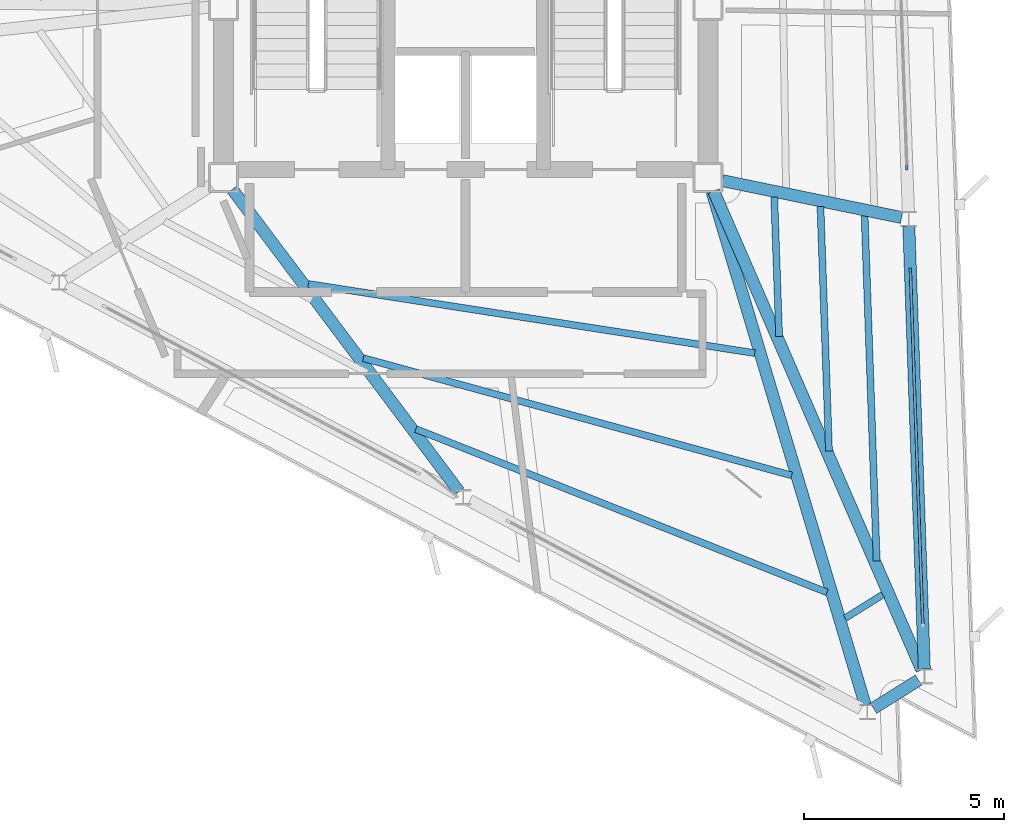
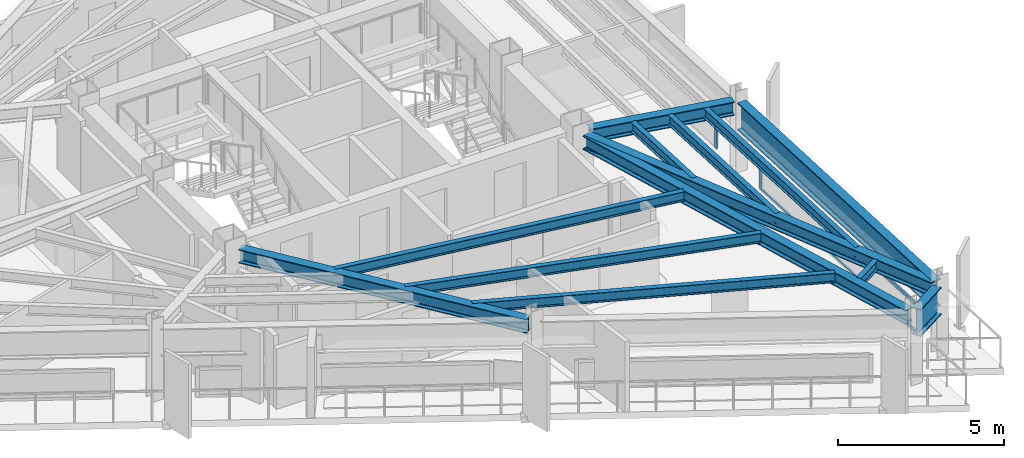
# One storey, part 3 of 13: 13 beams, 4 members, 2 elements without a shape of their own.
"""IFC4 building model written with IfcOpenShell, lengths in metres."""

from ifc_helpers import new_model, si_unit, direction, frame, origin, origin_2d, place, context, subcontext, project, spatial, rectangle, i_section, extrude, material, layer, layer_set, material_profile, profile_set, type_object, element, aggregate, save


model = new_model("IFC4")

# Units and contexts
model_context = context("Model", 3, precision=1e-05, world=origin(), true_north=direction((0.0, 1.0)))
body_context = subcontext(model_context, "Body", "Model", "MODEL_VIEW")
ifc_project = project(units=[si_unit("LENGTHUNIT", "METRE"), si_unit("AREAUNIT", "SQUARE_METRE"), si_unit("VOLUMEUNIT", "CUBIC_METRE"), si_unit("PLANEANGLEUNIT", "RADIAN"), si_unit("MASSUNIT", "GRAM", prefix="KILO")], contexts=[model_context])

# Site, building, storey
site_placement = place(None, origin())
site = spatial("IfcSite", under=ifc_project, at=site_placement, CompositionType="ELEMENT")
building_placement = place(site_placement, origin())
building = spatial("IfcBuilding", under=site, at=building_placement, Name="Rocaltana Carrier Exchange", CompositionType="ELEMENT")
storey_placement = place(building_placement, frame((0.0, 0.0, 211.840087890625)))
storey = spatial("IfcBuildingStorey", under=building, at=storey_placement, Name="L67", CompositionType="ELEMENT", Elevation=211.840087890625)

# Curtain wall, member
ifc_material_1 = material(Name="Aluminium 6063-T6", Category="aluminium")
ifc_layer = layer(ifc_material_1, 0.1201171875)
ifc_layer_set = layer_set([ifc_layer], Name="Aluminium 6063-T6")
curtain_wall_type = type_object("IfcCurtainWallType", Name="High-Altitude Thermal Curtain Wall CW-05", PredefinedType="NOTDEFINED", material=ifc_layer_set)
curtain_wall_1_placement = place(storey_placement, origin())
curtain_wall_1 = element("IfcCurtainWall", 1, at=curtain_wall_1_placement, inside=storey, type_object=curtain_wall_type, Name="L67 CW-05 Run CW-L67-F1S1", PredefinedType="NOTDEFINED")
ifc_material_2 = material(Name="Aluminium 6063-T6", Category="aluminium")
ifc_material_profile_1 = material_profile(ifc_material_2, rectangle(XDim=0.06005859375, YDim=0.1201171875, at=origin_2d()), Name="AL-60X120")
ifc_profile_set_1 = profile_set([ifc_material_profile_1], Name="Aluminium 6063-T6")
member_type_1 = type_object("IfcMemberType", Name="CW-05 Mullion AL-60X120", PredefinedType="MULLION", material=ifc_profile_set_1)
member_1_placement = place(storey_placement, frame((11.11181640625, -6.61279296875, 0.0), z_axis=(0.0, 0.0, 1.0), x_axis=(-0.999390315991, -0.034914127567, 0.0)))
member_1 = element("IfcMember", 2, at=member_1_placement, type_object=member_type_1, Name="CW-05 mullion 2", PredefinedType="MULLION", context=body_context, shape_type="SweptSolid", body=[
    extrude(rectangle(XDim=0.06005859375, YDim=0.1201171875, at=origin_2d()), origin(), (0.0, 0.0, 1.0), 1.077880859375),
])

curtain_wall_2_placement = place(storey_placement, origin())
curtain_wall_2 = element("IfcCurtainWall", 3, at=curtain_wall_2_placement, inside=storey, type_object=curtain_wall_type, Name="L67 CW-05 Run CW-L67-F1S2", PredefinedType="NOTDEFINED")
member_2_placement = place(storey_placement, frame((11.0224609375, -4.054443359375, 0.0), z_axis=(0.0, 0.0, 1.0), x_axis=(-0.999390720156, -0.034902556738, 0.0)))
member_2 = element("IfcMember", 4, at=member_2_placement, type_object=member_type_1, Name="CW-05 mullion 1", PredefinedType="MULLION", context=body_context, shape_type="SweptSolid", body=[
    extrude(rectangle(XDim=0.06005859375, YDim=0.1201171875, at=origin_2d()), origin(), (0.0, 0.0, 1.0), 1.077880859375),
])
aggregate(curtain_wall_2, [member_2])

# Member
ifc_material_3 = material(Name="Aluminium 6063-T6", Category="aluminium")
ifc_material_profile_2 = material_profile(ifc_material_3, rectangle(XDim=0.06005859375, YDim=0.1201171875, at=origin_2d()), Name="AL-60X120")
ifc_profile_set_2 = profile_set([ifc_material_profile_2], Name="Aluminium 6063-T6")
member_type_2 = type_object("IfcMemberType", Name="CW-05 Transom AL-60X120", PredefinedType="USERDEFINED", material=ifc_profile_set_2)
member_3_placement = place(storey_placement, frame((11.420654296875, -15.450927734375, 0.030029296875), z_axis=(-0.034930718371, 0.999389736246, 0.0), x_axis=(-0.999389736246, -0.034930718371, 0.0)))
member_3 = element("IfcMember", 5, at=member_3_placement, type_object=member_type_2, Name="CW-05 transom 1.1", ObjectType="TRANSOM", PredefinedType="USERDEFINED", context=body_context, shape_type="SweptSolid", body=[
    extrude(rectangle(XDim=0.06005859375, YDim=0.1201171875, at=origin_2d()), origin(), (0.0, 0.0, 1.0), 8.8134765625),
])

member_4_placement = place(storey_placement, frame((11.420654296875, -15.450927734375, 1.0478515625), z_axis=(-0.034930718371, 0.999389736246, 0.0), x_axis=(-0.999389736246, -0.034930718371, 0.0)))
member_4 = element("IfcMember", 6, at=member_4_placement, type_object=member_type_2, Name="CW-05 transom 1.2", ObjectType="TRANSOM", PredefinedType="USERDEFINED", context=body_context, shape_type="SweptSolid", body=[
    extrude(rectangle(XDim=0.06005859375, YDim=0.1201171875, at=origin_2d()), origin(), (0.0, 0.0, 1.0), 8.8134765625),
])

aggregate(curtain_wall_1, [member_1, member_3, member_4])

# Beams
ifc_material_4 = material(Name="Steel S355", Category="steel")
ifc_material_profile_3 = material_profile(ifc_material_4, i_section(OverallWidth=0.172119140625, OverallDepth=0.35791015625, WebThickness=0.0078125, FlangeThickness=0.01318359375, FilletRadius=0.011962890625, at=origin_2d()), Name="W14X38")
ifc_profile_set_3 = profile_set([ifc_material_profile_3], Name="Steel S355")
beam_type_1 = type_object("IfcBeamType", Name="Floor Joist W14X38", PredefinedType="JOIST", material=ifc_profile_set_3)
beam_1_placement = place(storey_placement, frame((7.83251953125, -8.267822265625, 2.43896484375), z_axis=(-0.034956892031, 0.99938882108, 0.0), x_axis=(-0.99938882108, -0.034956892031, 0.0)))
element("IfcBeam", 7, at=beam_1_placement, inside=storey, type_object=beam_type_1, Name="FJ-L67-01-1", PredefinedType="JOIST", context=body_context, shape_type="SweptSolid", body=[
    extrude(i_section(OverallWidth=0.172119140625, OverallDepth=0.35791015625, WebThickness=0.0078125, FlangeThickness=0.01318359375, FilletRadius=0.011962890625, at=origin_2d()), origin(), (0.0, 0.0, 1.0), 3.485107421875),
])
beam_2_placement = place(storey_placement, frame((9.078125, -11.1337890625, 2.43896484375), z_axis=(-0.034895437924, 0.999390968747, 0.0), x_axis=(-0.999390968747, -0.034895437924, 0.0)))
element("IfcBeam", 8, at=beam_2_placement, inside=storey, type_object=beam_type_1, Name="FJ-L67-01-2", PredefinedType="JOIST", context=body_context, shape_type="SweptSolid", body=[
    extrude(i_section(OverallWidth=0.172119140625, OverallDepth=0.35791015625, WebThickness=0.0078125, FlangeThickness=0.01318359375, FilletRadius=0.011962890625, at=origin_2d()), origin(), (0.0, 0.0, 1.0), 6.11474609375),
])
beam_3_placement = place(storey_placement, frame((10.269775390625, -13.875, 2.43896484375), z_axis=(-0.034909498386, 0.999390477703, 0.0), x_axis=(-0.999390477703, -0.034909498386, 0.0)))
element("IfcBeam", 9, at=beam_3_placement, inside=storey, type_object=beam_type_1, Name="FJ-L67-01-3", PredefinedType="JOIST", context=body_context, shape_type="SweptSolid", body=[
    extrude(i_section(OverallWidth=0.172119140625, OverallDepth=0.35791015625, WebThickness=0.0078125, FlangeThickness=0.01318359375, FilletRadius=0.011962890625, at=origin_2d()), origin(), (0.0, 0.0, 1.0), 8.630126953125),
])
beam_4_placement = place(storey_placement, frame((-3.93017578125, -6.957275390625, 2.43896484375), z_axis=(0.98822318651, -0.153019389764, 0.0), x_axis=(0.153019389764, 0.98822318651, 0.0)))
element("IfcBeam", 10, at=beam_4_placement, inside=storey, type_object=beam_type_1, Name="FJ-L67-11-1", PredefinedType="JOIST", context=body_context, shape_type="SweptSolid", body=[
    extrude(i_section(OverallWidth=0.172119140625, OverallDepth=0.35791015625, WebThickness=0.0078125, FlangeThickness=0.01318359375, FilletRadius=0.011962890625, at=origin_2d()), origin(), (0.0, 0.0, 1.0), 11.286376953125),
])
beam_5_placement = place(storey_placement, frame((-2.555419921875, -8.809814453125, 2.43896484375), z_axis=(0.96449669157, -0.264094929808, 0.0), x_axis=(0.264094929808, 0.96449669157, 0.0)))
element("IfcBeam", 11, at=beam_5_placement, inside=storey, type_object=beam_type_1, Name="FJ-L67-11-2", PredefinedType="JOIST", context=body_context, shape_type="SweptSolid", body=[
    extrude(i_section(OverallWidth=0.172119140625, OverallDepth=0.35791015625, WebThickness=0.0078125, FlangeThickness=0.01318359375, FilletRadius=0.011962890625, at=origin_2d()), origin(), (0.0, 0.0, 1.0), 11.09326171875),
])
beam_6_placement = place(storey_placement, frame((-1.2421875, -10.581787109375, 2.43896484375), z_axis=(0.929319992712, -0.369275440756, 0.0), x_axis=(0.369275440756, 0.929319992712, 0.0)))
element("IfcBeam", 12, at=beam_6_placement, inside=storey, type_object=beam_type_1, Name="FJ-L67-11-3", PredefinedType="JOIST", context=body_context, shape_type="SweptSolid", body=[
    extrude(i_section(OverallWidth=0.172119140625, OverallDepth=0.35791015625, WebThickness=0.0078125, FlangeThickness=0.01318359375, FilletRadius=0.011962890625, at=origin_2d()), origin(), (0.0, 0.0, 1.0), 11.049560546875),
])
beam_7_placement = place(storey_placement, frame((9.481689453125, -15.306640625, 2.43896484375), z_axis=(0.847961248571, 0.530058224087, 0.0), x_axis=(-0.530058224087, 0.847961248571, 0.0)))
element("IfcBeam", 13, at=beam_7_placement, inside=storey, type_object=beam_type_1, Name="FJ-L67-12-3", PredefinedType="JOIST", context=body_context, shape_type="SweptSolid", body=[
    extrude(i_section(OverallWidth=0.172119140625, OverallDepth=0.35791015625, WebThickness=0.0078125, FlangeThickness=0.01318359375, FilletRadius=0.011962890625, at=origin_2d()), origin(), (0.0, 0.0, 1.0), 1.110595703125),
])
ifc_material_5 = material(Name="Steel S460", Category="steel")
ifc_material_profile_4 = material_profile(ifc_material_5, i_section(OverallWidth=0.302001953125, OverallDepth=1.008056640625, WebThickness=0.02099609375, FlangeThickness=0.0400390625, FilletRadius=0.030029296875, at=origin_2d()), Name="HEM1000")
ifc_profile_set_4 = profile_set([ifc_material_profile_4], Name="Steel S460")
beam_type_2 = type_object("IfcBeamType", Name="Transfer Ring Girder HEM1000", PredefinedType="USERDEFINED", material=ifc_profile_set_4)
beam_8_placement = place(storey_placement, frame((11.4599609375, -16.58056640625, 2.114013671875), z_axis=(-0.034898873062, 0.999390848797, 0.0), x_axis=(-0.999390848797, -0.034898873062, 0.0)))
element("IfcBeam", 14, at=beam_8_placement, inside=storey, type_object=beam_type_2, Name="SP-L67-01", ObjectType="TRANSFER GIRDER", PredefinedType="USERDEFINED", context=body_context, shape_type="SweptSolid", body=[
    extrude(i_section(OverallWidth=0.302001953125, OverallDepth=1.008056640625, WebThickness=0.02099609375, FlangeThickness=0.0400390625, FilletRadius=0.030029296875, at=origin_2d()), origin(), (0.0, 0.0, 1.0), 11.07421875),
])
beam_9_placement = place(storey_placement, frame((10.189697265625, -17.557861328125, 2.114013671875), z_axis=(0.847977617648, 0.530032036737, 0.0), x_axis=(-0.530032036737, 0.847977617648, 0.0)))
element("IfcBeam", 15, at=beam_9_placement, inside=storey, type_object=beam_type_2, Name="SP-L67-12", ObjectType="TRANSFER GIRDER", PredefinedType="USERDEFINED", context=body_context, shape_type="SweptSolid", body=[
    extrude(i_section(OverallWidth=0.302001953125, OverallDepth=1.008056640625, WebThickness=0.02099609375, FlangeThickness=0.0400390625, FilletRadius=0.030029296875, at=origin_2d()), origin(), (0.0, 0.0, 1.0), 1.326171875),
])
ifc_material_6 = material(Name="Steel S355", Category="steel")
ifc_material_profile_5 = material_profile(ifc_material_6, i_section(OverallWidth=0.300048828125, OverallDepth=0.5, WebThickness=0.014404296875, FlangeThickness=0.028076171875, FilletRadius=0.027099609375, at=origin_2d()), Name="HEB500")
ifc_profile_set_5 = profile_set([ifc_material_profile_5], Name="Steel S355")
beam_type_3 = type_object("IfcBeamType", Name="Upper Radial Girder HEB500", PredefinedType="BEAM", material=ifc_profile_set_5)
beam_10_placement = place(storey_placement, frame((6.1962890625, -4.63671875, 2.367919921875), z_axis=(0.398663810423, -0.917097141125, 0.0), x_axis=(0.917097141125, 0.398663810423, 0.0)))
element("IfcBeam", 16, at=beam_10_placement, inside=storey, type_object=beam_type_3, Name="RG-L67-01", PredefinedType="BEAM", context=body_context, shape_type="SweptSolid", body=[
    extrude(i_section(OverallWidth=0.300048828125, OverallDepth=0.5, WebThickness=0.014404296875, FlangeThickness=0.028076171875, FilletRadius=0.027099609375, at=origin_2d()), origin(), (0.0, 0.0, 1.0), 13.039794921875),
])
beam_11_placement = place(storey_placement, frame((6.409423828125, -4.3740234375, 2.367919921875), z_axis=(0.979421076518, -0.201827537448, 0.0), x_axis=(0.201827537448, 0.979421076518, 0.0)))
element("IfcBeam", 17, at=beam_11_placement, inside=storey, type_object=beam_type_3, Name="RG-L67-02", PredefinedType="BEAM", context=body_context, shape_type="SweptSolid", body=[
    extrude(i_section(OverallWidth=0.300048828125, OverallDepth=0.5, WebThickness=0.014404296875, FlangeThickness=0.028076171875, FilletRadius=0.027099609375, at=origin_2d()), origin(), (0.0, 0.0, 1.0), 4.576171875),
])
beam_12_placement = place(storey_placement, frame((-5.82958984375, -4.593505859375, 2.367919921875), z_axis=(0.600219358508, -0.799835434119, 0.0), x_axis=(0.799835434119, 0.600219358508, 0.0)))
element("IfcBeam", 18, at=beam_12_placement, inside=storey, type_object=beam_type_3, Name="RG-L67-11", PredefinedType="BEAM", context=body_context, shape_type="SweptSolid", body=[
    extrude(i_section(OverallWidth=0.300048828125, OverallDepth=0.5, WebThickness=0.014404296875, FlangeThickness=0.028076171875, FilletRadius=0.027099609375, at=origin_2d()), origin(), (0.0, 0.0, 1.0), 9.43701171875),
])
beam_13_placement = place(storey_placement, frame((6.155029296875, -4.651611328125, 2.367919921875), z_axis=(0.286131481219, -0.958190364936, 0.0), x_axis=(0.958190364936, 0.286131481219, 0.0)))
element("IfcBeam", 19, at=beam_13_placement, inside=storey, type_object=beam_type_3, Name="RG-L67-12", PredefinedType="BEAM", context=body_context, shape_type="SweptSolid", body=[
    extrude(i_section(OverallWidth=0.300048828125, OverallDepth=0.5, WebThickness=0.014404296875, FlangeThickness=0.028076171875, FilletRadius=0.027099609375, at=origin_2d()), origin(), (0.0, 0.0, 1.0), 13.38916015625),
])

save(model, "model.ifc")
